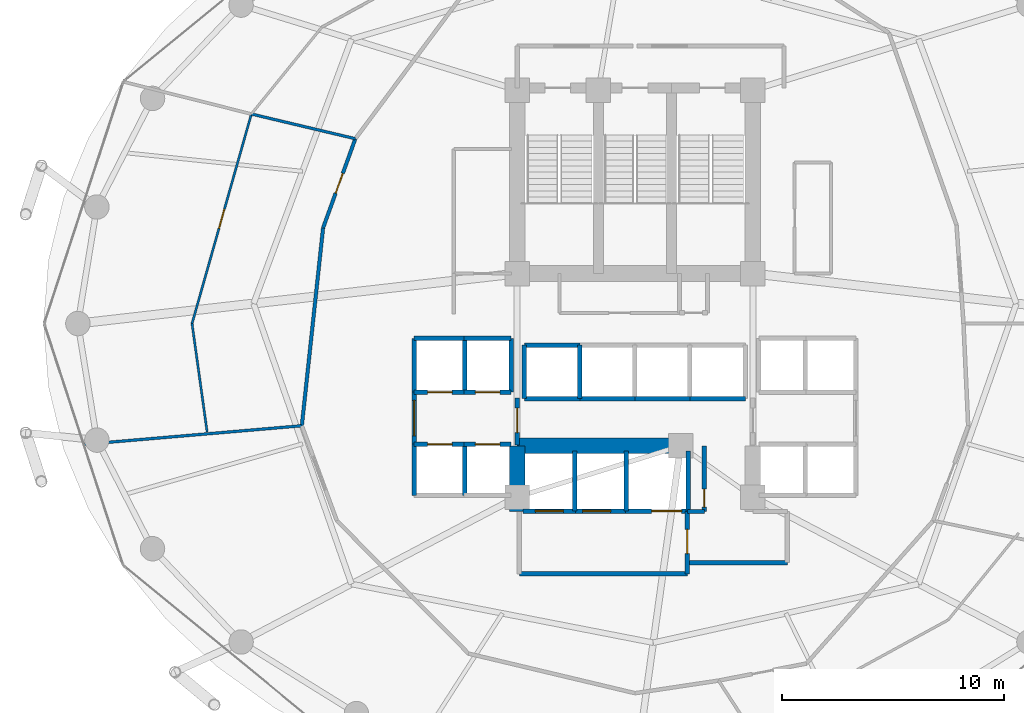
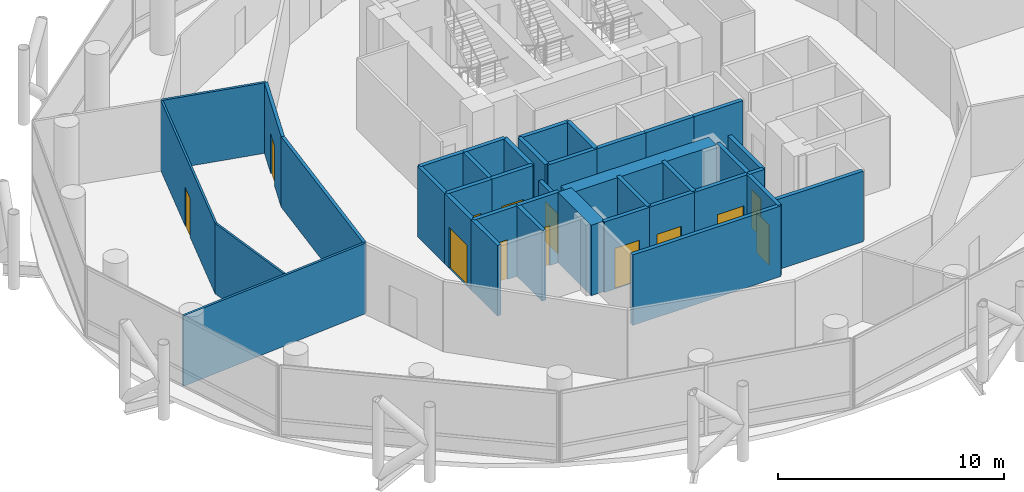
# One storey, part 21 of 24: 39 walls, 13 doors, 13 openings.
"""IFC4 building model written with IfcOpenShell, lengths in metres."""

from ifc_helpers import new_model, si_unit, direction, frame, frame_2d, origin, place, context, subcontext, project, spatial, rectangle, extrude, material, layer, layer_set, type_object, element, fill, save


model = new_model("IFC4")

# Units and contexts
model_context = context("Model", 3, precision=1e-05, world=origin(), true_north=direction((0.0, 1.0)))
body_context = subcontext(model_context, "Body", "Model", "MODEL_VIEW")
ifc_project = project(units=[si_unit("LENGTHUNIT", "METRE"), si_unit("AREAUNIT", "SQUARE_METRE"), si_unit("VOLUMEUNIT", "CUBIC_METRE"), si_unit("PLANEANGLEUNIT", "RADIAN"), si_unit("MASSUNIT", "GRAM", prefix="KILO")], contexts=[model_context])

# Site, building, storey
site_placement = place(None, origin())
site = spatial("IfcSite", under=ifc_project, at=site_placement, CompositionType="ELEMENT")
building_placement = place(site_placement, origin())
building = spatial("IfcBuilding", under=site, at=building_placement, Name="Nuhasar Tower", CompositionType="ELEMENT")
storey_placement = place(building_placement, frame((0.0, 0.0, 81.75)))
storey = spatial("IfcBuildingStorey", under=building, at=storey_placement, Name="L19", CompositionType="ELEMENT", Elevation=81.75)

# Walls
ifc_material_1 = material(Name="Concrete C65/80", Category="concrete")
ifc_layer_1 = layer(ifc_material_1, 0.699951171875)
ifc_layer_set_1 = layer_set([ifc_layer_1], Name="Concrete C65/80")
wall_type_1 = type_object("IfcWallType", Name="WL-CORE-700", PredefinedType="SHEAR", material=ifc_layer_set_1)
wall_1_placement = place(storey_placement, frame((33.699951171875, 18.35009765625, 0.0), z_axis=(0.0, 0.0, 1.0), x_axis=(0.0, 1.0, 0.0)))
element("IfcWall", 1, at=wall_1_placement, inside=storey, type_object=wall_type_1, Name="L19 Core Shear Wall CW-SW CW-700", PredefinedType="SHEAR", context=body_context, shape_type="SweptSolid", body=[
    extrude(rectangle(XDim=2.949951171875, YDim=0.699951171875, at=frame_2d((1.47509765625, 0.0))), origin(), (0.0, 0.0, 1.0), 3.800048828125),
])
wall_2_placement = place(storey_placement, frame((33.699951171875, 21.300048828125, 0.0), z_axis=(0.0, 0.0, 1.0), x_axis=(1.0, 0.0, 0.0)))
element("IfcWall", 2, at=wall_2_placement, inside=storey, type_object=wall_type_1, Name="L19 Core Shear Wall CW-S1 CW-700", PredefinedType="SHEAR", context=body_context, shape_type="SweptSolid", body=[
    extrude(rectangle(XDim=7.550048828125, YDim=0.699951171875, at=frame_2d((3.77490234375, 0.0))), origin(), (0.0, 0.0, 1.0), 3.800048828125),
])

# Wall, opening, door
ifc_material_2 = material(Name="Gypsum Board", Category="gypsum")
ifc_layer_2 = layer(ifc_material_2, 0.159912109375)
ifc_layer_set_2 = layer_set([ifc_layer_2], Name="Gypsum Board")
wall_type_2 = type_object("IfcWallType", Name="WL-CORR-160", PredefinedType="PARTITIONING", material=ifc_layer_set_2)
wall_3_placement = place(storey_placement, frame((24.97509765625, 31.10205078125, 0.0), z_axis=(0.0, 0.0, 1.0), x_axis=(0.340183500837, 0.940359072779, 0.0)))
wall_3 = element("IfcWall", 3, at=wall_3_placement, inside=storey, type_object=wall_type_2, Name="L19 Interior Partition CORR-20", PredefinedType="PARTITIONING", context=body_context, shape_type="SweptSolid", body=[
    extrude(rectangle(XDim=4.26220703125, YDim=0.159912109375, at=frame_2d((2.131103515625, 0.0))), origin(), (0.0, 0.0, 1.0), 3.800048828125),
])
opening_1_placement = place(wall_3_placement, frame((1.656005859375, 0.0, 0.0)))
opening_1 = element("IfcOpeningElement", 4, at=opening_1_placement, cuts=wall_3, Name="Opening DO-01", PredefinedType="OPENING", context=body_context, shape_type="SweptSolid", body=[
    extrude(rectangle(XDim=0.949951171875, YDim=2.14990234375, at=frame_2d((0.47509765625, 1.074951171875))), frame((0.0, 0.08984375, 0.0), z_axis=(0.0, -1.0, 0.0), x_axis=(1.0, 0.0, 0.0)), (0.0, 0.0, 1.0), 0.179931640625),
])
ifc_material_3 = material(Name="Timber Oak", Category="wood")
door_type_1 = type_object("IfcDoorType", Name="DR-OFFICE-FD30-950", OperationType="NOTDEFINED", PredefinedType="DOOR", material=ifc_material_3)
door_1_placement = place(opening_1_placement, origin())
door_1 = element("IfcDoor", 5, at=door_1_placement, inside=storey, type_object=door_type_1, Name="L19 Protocol Banquet Dining Room Entry Door", OperationType="SINGLE_SWING_LEFT", OverallHeight=2.14990234375, OverallWidth=0.949951171875, PredefinedType="DOOR", context=body_context, shape_type="SweptSolid", body=[
    extrude(rectangle(XDim=0.949951171875, YDim=2.14990234375, at=frame_2d((0.47509765625, 1.074951171875))), frame((0.0, 0.02490234375, 0.0), z_axis=(0.0, -1.0, 0.0), x_axis=(1.0, 0.0, 0.0)), (0.0, 0.0, 1.0), 0.050048828125),
])
fill(opening_1, door_1)

# Wall
wall_4_placement = place(storey_placement, frame((24.97509765625, 31.10205078125, 0.0), z_axis=(0.0, 0.0, 1.0), x_axis=(-0.106843321034, -0.99427586954, 0.0)))
element("IfcWall", 6, at=wall_4_placement, inside=storey, type_object=wall_type_2, Name="L19 Interior Partition CORR-22", PredefinedType="PARTITIONING", context=body_context, shape_type="SweptSolid", body=[
    extrude(rectangle(XDim=8.9482421875, YDim=0.159912109375, at=frame_2d((4.47412109375, 0.0))), origin(), (0.0, 0.0, 1.0), 3.800048828125),
])

# Wall, opening, door
ifc_material_4 = material(Name="Concrete C45/55", Category="concrete")
ifc_layer_3 = layer(ifc_material_4, 0.199951171875)
ifc_layer_set_3 = layer_set([ifc_layer_3], Name="Concrete C45/55")
wall_type_3 = type_object("IfcWallType", Name="WL-LOBBY-200", PredefinedType="SOLIDWALL", material=ifc_layer_set_3)
wall_5_placement = place(storey_placement, frame((29.070068359375, 21.3798828125, 0.0), z_axis=(0.0, 0.0, 1.0), x_axis=(0.0, 1.0, 0.0)))
wall_5 = element("IfcWall", 7, at=wall_5_placement, inside=storey, type_object=wall_type_3, Name="L19 Interior Partition LLBL-W", PredefinedType="SOLIDWALL", context=body_context, shape_type="SweptSolid", body=[
    extrude(rectangle(XDim=2.340087890625, YDim=0.199951171875, at=frame_2d((1.169921875, 0.0))), origin(), (0.0, 0.0, 1.0), 3.800048828125),
])
opening_2_placement = place(wall_5_placement, frame((0.3701171875, 0.0, 0.0)))
opening_2 = element("IfcOpeningElement", 8, at=opening_2_placement, cuts=wall_5, Name="Opening DC-01", PredefinedType="OPENING", context=body_context, shape_type="SweptSolid", body=[
    extrude(rectangle(XDim=1.60009765625, YDim=2.199951171875, at=frame_2d((0.800048828125, 1.10009765625))), frame((0.0, 0.10986328125, 0.0), z_axis=(0.0, -1.0, 0.0), x_axis=(1.0, 0.0, 0.0)), (0.0, 0.0, 1.0), 0.219970703125),
])
ifc_material_5 = material(Name="Steel S355", Category="steel")
door_type_2 = type_object("IfcDoorType", Name="DR-CORR-FD60-1600", OperationType="DOUBLE_DOOR_SINGLE_SWING", PredefinedType="DOOR", material=ifc_material_5)
door_2_placement = place(opening_2_placement, origin())
door_2 = element("IfcDoor", 9, at=door_2_placement, inside=storey, type_object=door_type_2, Name="L19 Low-Rise Lift Lobby West Entry", OperationType="DOUBLE_DOOR_SINGLE_SWING", OverallHeight=2.199951171875, OverallWidth=1.60009765625, PredefinedType="DOOR", context=body_context, shape_type="SweptSolid", body=[
    extrude(rectangle(XDim=1.60009765625, YDim=2.199951171875, at=frame_2d((0.800048828125, 1.10009765625))), frame((0.0, 0.02490234375, 0.0), z_axis=(0.0, -1.0, 0.0), x_axis=(1.0, 0.0, 0.0)), (0.0, 0.0, 1.0), 0.050048828125),
])
fill(opening_2, door_2)

wall_6_placement = place(storey_placement, frame((33.699951171875, 21.35009765625, 0.0), z_axis=(0.0, 0.0, 1.0), x_axis=(0.0, 1.0, 0.0)))
wall_6 = element("IfcWall", 10, at=wall_6_placement, inside=storey, type_object=wall_type_3, Name="L19 Interior Partition LLBH-W", PredefinedType="SOLIDWALL", context=body_context, shape_type="SweptSolid", body=[
    extrude(rectangle(XDim=2.099853515625, YDim=0.199951171875, at=frame_2d((1.0498046875, 0.0))), origin(), (0.0, 0.0, 1.0), 3.02001953125),
])
opening_3_placement = place(wall_6_placement, frame((0.550048828125, 0.0, 0.0)))
opening_3 = element("IfcOpeningElement", 11, at=opening_3_placement, cuts=wall_6, Name="Opening DS-02", PredefinedType="OPENING", context=body_context, shape_type="SweptSolid", body=[
    extrude(rectangle(XDim=1.10009765625, YDim=2.14990234375, at=frame_2d((0.550048828125, 1.074951171875))), frame((0.0, 0.10986328125, 0.0), z_axis=(0.0, -1.0, 0.0), x_axis=(1.0, 0.0, 0.0)), (0.0, 0.0, 1.0), 0.219970703125),
])
door_type_3 = type_object("IfcDoorType", Name="DR-FFL-FD120-1100", OperationType="NOTDEFINED", PredefinedType="DOOR", material=ifc_material_5)
door_3_placement = place(opening_3_placement, origin())
door_3 = element("IfcDoor", 12, at=door_3_placement, inside=storey, type_object=door_type_3, Name="L19 High-Rise Lobby West Door", OperationType="SINGLE_SWING_RIGHT", OverallHeight=2.14990234375, OverallWidth=1.10009765625, PredefinedType="DOOR", context=body_context, shape_type="SweptSolid", body=[
    extrude(rectangle(XDim=1.10009765625, YDim=2.14990234375, at=frame_2d((0.550048828125, 1.074951171875))), frame((0.0, 0.02490234375, 0.0), z_axis=(0.0, -1.0, 0.0), x_axis=(1.0, 0.0, 0.0)), (0.0, 0.0, 1.0), 0.050048828125),
])
fill(opening_3, door_3)

# Wall
wall_7_placement = place(storey_placement, frame((33.800048828125, 15.550048828125, 0.0), z_axis=(0.0, 0.0, 1.0), x_axis=(1.0, 0.0, 0.0)))
element("IfcWall", 13, at=wall_7_placement, inside=storey, type_object=wall_type_3, Name="L19 Interior Partition FFL-S", PredefinedType="SOLIDWALL", context=body_context, shape_type="SweptSolid", body=[
    extrude(rectangle(XDim=7.550048828125, YDim=0.199951171875, at=frame_2d((3.77490234375, 0.0))), origin(), (0.0, 0.0, 1.0), 3.800048828125),
])

# Wall, opening, door
wall_8_placement = place(storey_placement, frame((41.35009765625, 15.550048828125, 0.0), z_axis=(0.0, 0.0, 1.0), x_axis=(0.0, 1.0, 0.0)))
wall_8 = element("IfcWall", 14, at=wall_8_placement, inside=storey, type_object=wall_type_3, Name="L19 Interior Partition FFL-E", PredefinedType="SOLIDWALL", context=body_context, shape_type="SweptSolid", body=[
    extrude(rectangle(XDim=2.800048828125, YDim=0.199951171875, at=frame_2d((1.39990234375, 0.0))), origin(), (0.0, 0.0, 1.0), 3.800048828125),
])
opening_4_placement = place(wall_8_placement, frame((0.89990234375, 0.0, 0.0)))
opening_4 = element("IfcOpeningElement", 15, at=opening_4_placement, cuts=wall_8, Name="Opening DS-02", PredefinedType="OPENING", context=body_context, shape_type="SweptSolid", body=[
    extrude(rectangle(XDim=1.10009765625, YDim=2.14990234375, at=frame_2d((0.550048828125, 1.074951171875))), frame((0.0, 0.10986328125, 0.0), z_axis=(0.0, -1.0, 0.0), x_axis=(1.0, 0.0, 0.0)), (0.0, 0.0, 1.0), 0.219970703125),
])
door_4_placement = place(opening_4_placement, origin())
door_4 = element("IfcDoor", 16, at=door_4_placement, inside=storey, type_object=door_type_3, Name="L19 Firefighting Lobby Door", OperationType="SINGLE_SWING_RIGHT", OverallHeight=2.14990234375, OverallWidth=1.10009765625, PredefinedType="DOOR", context=body_context, shape_type="SweptSolid", body=[
    extrude(rectangle(XDim=1.10009765625, YDim=2.14990234375, at=frame_2d((0.550048828125, 1.074951171875))), frame((0.0, 0.02490234375, 0.0), z_axis=(0.0, -1.0, 0.0), x_axis=(1.0, 0.0, 0.0)), (0.0, 0.0, 1.0), 0.050048828125),
])
fill(opening_4, door_4)

# Wall
wall_9_placement = place(storey_placement, frame((41.35009765625, 16.050048828125, 0.0), z_axis=(0.0, 0.0, 1.0), x_axis=(1.0, 0.0, 0.0)))
element("IfcWall", 17, at=wall_9_placement, inside=storey, type_object=wall_type_3, Name="L19 Interior Partition SVLV-S", PredefinedType="SOLIDWALL", context=body_context, shape_type="SweptSolid", body=[
    extrude(rectangle(XDim=4.5, YDim=0.199951171875, at=frame_2d((2.25, 0.0))), origin(), (0.0, 0.0, 1.0), 3.800048828125),
])

# Wall, opening, door
ifc_material_6 = material(Name="Aluminium 6063-T6", Category="aluminium")
ifc_layer_4 = layer(ifc_material_6, 0.10009765625)
ifc_layer_set_4 = layer_set([ifc_layer_4], Name="Aluminium 6063-T6")
wall_type_4 = type_object("IfcWallType", Name="WL-MOVABLE-100", PredefinedType="MOVABLE", material=ifc_layer_set_4)
wall_10_placement = place(storey_placement, frame((19.08203125, 26.800048828125, 0.0), z_axis=(0.0, 0.0, 1.0), x_axis=(0.272547183725, 0.962142418067, 0.0)))
wall_10 = element("IfcWall", 18, at=wall_10_placement, inside=storey, type_object=wall_type_4, Name="L19 Interior Partition OMID-03-20", PredefinedType="MOVABLE", context=body_context, shape_type="SweptSolid", body=[
    extrude(rectangle(XDim=9.79248046875, YDim=0.10009765625, at=frame_2d((4.896240234375, 0.0))), origin(), (0.0, 0.0, 1.0), 3.800048828125),
])
opening_5_placement = place(wall_10_placement, frame((4.446044921875, 0.0, 0.0)))
opening_5 = element("IfcOpeningElement", 19, at=opening_5_placement, cuts=wall_10, Name="Opening DR-01", PredefinedType="OPENING", context=body_context, shape_type="SweptSolid", body=[
    extrude(rectangle(XDim=0.89990234375, YDim=2.10009765625, at=frame_2d((0.449951171875, 1.050048828125))), frame((0.0, 0.06005859375, 0.0), z_axis=(0.0, -1.0, 0.0), x_axis=(1.0, 0.0, 0.0)), (0.0, 0.0, 1.0), 0.1201171875),
])
door_type_4 = type_object("IfcDoorType", Name="DR-ROOM-900", OperationType="NOTDEFINED", PredefinedType="DOOR", material=ifc_material_3)
door_5_placement = place(opening_5_placement, origin())
door_5 = element("IfcDoor", 20, at=door_5_placement, inside=storey, type_object=door_type_4, Name="L19 Protocol Banquet Dining Room Inner Door", OperationType="SINGLE_SWING_RIGHT", OverallHeight=2.10009765625, OverallWidth=0.89990234375, PredefinedType="DOOR", context=body_context, shape_type="SweptSolid", body=[
    extrude(rectangle(XDim=0.89990234375, YDim=2.10009765625, at=frame_2d((0.449951171875, 1.050048828125))), frame((0.0, 0.02490234375, 0.0), z_axis=(0.0, -1.0, 0.0), x_axis=(1.0, 0.0, 0.0)), (0.0, 0.0, 1.0), 0.050048828125),
])
fill(opening_5, door_5)

# Walls
wall_11_placement = place(storey_placement, frame((19.08203125, 26.800048828125, 0.0), z_axis=(0.0, 0.0, 1.0), x_axis=(0.137887249671, -0.990447932189, 0.0)))
element("IfcWall", 21, at=wall_11_placement, inside=storey, type_object=wall_type_4, Name="L19 Interior Partition OMID-03-24", PredefinedType="MOVABLE", context=body_context, shape_type="SweptSolid", body=[
    extrude(rectangle(XDim=4.924072265625, YDim=0.10009765625, at=frame_2d((2.4619140625, 0.0))), origin(), (0.0, 0.0, 1.0), 3.800048828125),
])
ifc_layer_5 = layer(ifc_material_2, 0.125)
ifc_layer_set_5 = layer_set([ifc_layer_5], Name="Gypsum Board")
wall_type_5 = type_object("IfcWallType", Name="WL-PART-125", PredefinedType="PARTITIONING", material=ifc_layer_set_5)
wall_12_placement = place(storey_placement, frame((26.425048828125, 35.110107421875, 0.0), z_axis=(0.0, 0.0, 1.0), x_axis=(-0.972855808005, 0.23141213631, 0.0)))
element("IfcWall", 22, at=wall_12_placement, inside=storey, type_object=wall_type_5, Name="L19 Interior Partition ORAD-20-S1", PredefinedType="PARTITIONING", context=body_context, shape_type="SweptSolid", body=[
    extrude(rectangle(XDim=4.804443359375, YDim=0.125, at=frame_2d((2.40234375, 0.0))), origin(), (0.0, 0.0, 1.0), 3.800048828125),
])
wall_13_placement = place(storey_placement, frame((24.01904296875, 22.205078125, 0.0), z_axis=(0.0, 0.0, 1.0), x_axis=(-0.996355302193, -0.085300127731, 0.0)))
element("IfcWall", 23, at=wall_13_placement, inside=storey, type_object=wall_type_5, Name="L19 Interior Partition ORAD-26", PredefinedType="PARTITIONING", context=body_context, shape_type="SweptSolid", body=[
    extrude(rectangle(XDim=9.802734375, YDim=0.125, at=frame_2d((4.9013671875, 0.0))), origin(), (0.0, 0.0, 1.0), 3.800048828125),
])

# Wall, opening, door
ifc_layer_6 = layer(ifc_material_4, 0.199951171875)
ifc_layer_set_6 = layer_set([ifc_layer_6], Name="Concrete C45/55")
wall_type_6 = type_object("IfcWallType", Name="WL-SHAFT-200", PredefinedType="SOLIDWALL", material=ifc_layer_set_6)
wall_14_placement = place(storey_placement, frame((29.070068359375, 23.719970703125, 0.0), z_axis=(0.0, 0.0, 1.0), x_axis=(1.0, 0.0, 0.0)))
wall_14 = element("IfcWall", 24, at=wall_14_placement, inside=storey, type_object=wall_type_6, Name="L19 Interior Partition SHF-PL-L01-S", PredefinedType="SOLIDWALL", context=body_context, shape_type="SweptSolid", body=[
    extrude(rectangle(XDim=2.309814453125, YDim=0.199951171875, at=frame_2d((1.15478515625, 0.0))), origin(), (0.0, 0.0, 1.0), 3.800048828125),
])
opening_6_placement = place(wall_14_placement, frame((0.60498046875, 0.0, 0.0)))
opening_6 = element("IfcOpeningElement", 25, at=opening_6_placement, cuts=wall_14, Name="Opening LD-L01", PredefinedType="OPENING", context=body_context, shape_type="SweptSolid", body=[
    extrude(rectangle(XDim=1.10009765625, YDim=2.14990234375, at=frame_2d((0.550048828125, 1.074951171875))), frame((0.0, 0.10986328125, 0.0), z_axis=(0.0, -1.0, 0.0), x_axis=(1.0, 0.0, 0.0)), (0.0, 0.0, 1.0), 0.219970703125),
])
ifc_material_7 = material(Name="Stainless Steel 316L", Category="steel")
door_type_5 = type_object("IfcDoorType", Name="LD-PAX-1100", OperationType="DOUBLE_DOOR_SLIDING", PredefinedType="DOOR", material=ifc_material_7)
door_6_placement = place(opening_6_placement, origin())
door_6 = element("IfcDoor", 26, at=door_6_placement, inside=storey, type_object=door_type_5, Name="L19 Lift Landing Door PL-L01", OperationType="DOUBLE_DOOR_SLIDING", OverallHeight=2.14990234375, OverallWidth=1.10009765625, PredefinedType="DOOR", context=body_context, shape_type="SweptSolid", body=[
    extrude(rectangle(XDim=1.10009765625, YDim=2.14990234375, at=frame_2d((0.550048828125, 1.074951171875))), frame((0.0, 0.02490234375, 0.0), z_axis=(0.0, -1.0, 0.0), x_axis=(1.0, 0.0, 0.0)), (0.0, 0.0, 1.0), 0.050048828125),
])
fill(opening_6, door_6)

# Walls
wall_15_placement = place(storey_placement, frame((29.070068359375, 26.1298828125, 0.0), z_axis=(0.0, 0.0, 1.0), x_axis=(1.0, 0.0, 0.0)))
element("IfcWall", 27, at=wall_15_placement, inside=storey, type_object=wall_type_6, Name="L19 Interior Partition SHF-PL-L01-N", PredefinedType="SOLIDWALL", context=body_context, shape_type="SweptSolid", body=[
    extrude(rectangle(XDim=2.309814453125, YDim=0.199951171875, at=frame_2d((1.15478515625, 0.0))), origin(), (0.0, 0.0, 1.0), 3.800048828125),
])
for number, where, z_axis, x_axis, name in (
    (28, (29.070068359375, 23.719970703125, 0.0), (0.0, 0.0, 1.0), (0.0, 1.0, 0.0), "L19 Interior Partition SHF-PL-L01-W"),
    (29, (31.35009765625, 23.719970703125, 0.0), (0.0, 0.0, 1.0), (0.0, 1.0, 0.0), "L19 Interior Partition SHF-PL-L01-E"),
):
    element("IfcWall", number, at=place(storey_placement, frame(where, z_axis=z_axis, x_axis=x_axis)), inside=storey, type_object=wall_type_6, Name=name, PredefinedType="SOLIDWALL", context=body_context, shape_type="SweptSolid", body=[
        extrude(rectangle(XDim=2.409912109375, YDim=0.199951171875, at=frame_2d((1.205078125, 0.0))), origin(), (0.0, 0.0, 1.0), 3.800048828125),
    ])

# Wall, opening, door
wall_16_placement = place(storey_placement, frame((31.320068359375, 23.719970703125, 0.0), z_axis=(0.0, 0.0, 1.0), x_axis=(1.0, 0.0, 0.0)))
wall_16 = element("IfcWall", 30, at=wall_16_placement, inside=storey, type_object=wall_type_6, Name="L19 Interior Partition SHF-PL-L02-S", PredefinedType="SOLIDWALL", context=body_context, shape_type="SweptSolid", body=[
    extrude(rectangle(XDim=2.10986328125, YDim=0.199951171875, at=frame_2d((1.054931640625, 0.0))), origin(), (0.0, 0.0, 1.0), 3.800048828125),
])
opening_7_placement = place(wall_16_placement, frame((0.5048828125, 0.0, 0.0)))
opening_7 = element("IfcOpeningElement", 31, at=opening_7_placement, cuts=wall_16, Name="Opening LD-L02", PredefinedType="OPENING", context=body_context, shape_type="SweptSolid", body=[
    extrude(rectangle(XDim=1.10009765625, YDim=2.14990234375, at=frame_2d((0.550048828125, 1.074951171875))), frame((0.0, 0.10986328125, 0.0), z_axis=(0.0, -1.0, 0.0), x_axis=(1.0, 0.0, 0.0)), (0.0, 0.0, 1.0), 0.219970703125),
])
door_7_placement = place(opening_7_placement, origin())
door_7 = element("IfcDoor", 32, at=door_7_placement, inside=storey, type_object=door_type_5, Name="L19 Lift Landing Door PL-L02", OperationType="DOUBLE_DOOR_SLIDING", OverallHeight=2.14990234375, OverallWidth=1.10009765625, PredefinedType="DOOR", context=body_context, shape_type="SweptSolid", body=[
    extrude(rectangle(XDim=1.10009765625, YDim=2.14990234375, at=frame_2d((0.550048828125, 1.074951171875))), frame((0.0, 0.02490234375, 0.0), z_axis=(0.0, -1.0, 0.0), x_axis=(1.0, 0.0, 0.0)), (0.0, 0.0, 1.0), 0.050048828125),
])
fill(opening_7, door_7)

# Walls
wall_17_placement = place(storey_placement, frame((31.320068359375, 26.1298828125, 0.0), z_axis=(0.0, 0.0, 1.0), x_axis=(1.0, 0.0, 0.0)))
element("IfcWall", 33, at=wall_17_placement, inside=storey, type_object=wall_type_6, Name="L19 Interior Partition SHF-PL-L02-N", PredefinedType="SOLIDWALL", context=body_context, shape_type="SweptSolid", body=[
    extrude(rectangle(XDim=2.10986328125, YDim=0.199951171875, at=frame_2d((1.054931640625, 0.0))), origin(), (0.0, 0.0, 1.0), 3.800048828125),
])
wall_18_placement = place(storey_placement, frame((33.429931640625, 23.719970703125, 0.0), z_axis=(0.0, 0.0, 1.0), x_axis=(0.0, 1.0, 0.0)))
element("IfcWall", 34, at=wall_18_placement, inside=storey, type_object=wall_type_6, Name="L19 Interior Partition SHF-PL-L02-E", PredefinedType="SOLIDWALL", context=body_context, shape_type="SweptSolid", body=[
    extrude(rectangle(XDim=2.409912109375, YDim=0.199951171875, at=frame_2d((1.205078125, 0.0))), origin(), (0.0, 0.0, 1.0), 3.800048828125),
])

# Wall, opening, door
wall_19_placement = place(storey_placement, frame((29.070068359375, 21.3798828125, 0.0), z_axis=(0.0, 0.0, 1.0), x_axis=(1.0, 0.0, 0.0)))
wall_19 = element("IfcWall", 35, at=wall_19_placement, inside=storey, type_object=wall_type_6, Name="L19 Interior Partition SHF-PL-L03-N", PredefinedType="SOLIDWALL", context=body_context, shape_type="SweptSolid", body=[
    extrude(rectangle(XDim=2.309814453125, YDim=0.199951171875, at=frame_2d((1.15478515625, 0.0))), origin(), (0.0, 0.0, 1.0), 3.800048828125),
])
opening_8_placement = place(wall_19_placement, frame((0.60498046875, 0.0, 0.0)))
opening_8 = element("IfcOpeningElement", 36, at=opening_8_placement, cuts=wall_19, Name="Opening LD-L03", PredefinedType="OPENING", context=body_context, shape_type="SweptSolid", body=[
    extrude(rectangle(XDim=1.10009765625, YDim=2.14990234375, at=frame_2d((0.550048828125, 1.074951171875))), frame((0.0, 0.10986328125, 0.0), z_axis=(0.0, -1.0, 0.0), x_axis=(1.0, 0.0, 0.0)), (0.0, 0.0, 1.0), 0.219970703125),
])
door_8_placement = place(opening_8_placement, origin())
door_8 = element("IfcDoor", 37, at=door_8_placement, inside=storey, type_object=door_type_5, Name="L19 Lift Landing Door PL-L03", OperationType="DOUBLE_DOOR_SLIDING", OverallHeight=2.14990234375, OverallWidth=1.10009765625, PredefinedType="DOOR", context=body_context, shape_type="SweptSolid", body=[
    extrude(rectangle(XDim=1.10009765625, YDim=2.14990234375, at=frame_2d((0.550048828125, 1.074951171875))), frame((0.0, 0.02490234375, 0.0), z_axis=(0.0, -1.0, 0.0), x_axis=(1.0, 0.0, 0.0)), (0.0, 0.0, 1.0), 0.050048828125),
])
fill(opening_8, door_8)

# Walls
for number, where, z_axis, x_axis, name in (
    (38, (29.070068359375, 19.070068359375, 0.0), (0.0, 0.0, 1.0), (0.0, 1.0, 0.0), "L19 Interior Partition SHF-PL-L03-W"),
    (39, (31.35009765625, 19.070068359375, 0.0), (0.0, 0.0, 1.0), (0.0, 1.0, 0.0), "L19 Interior Partition SHF-PL-L03-E"),
):
    element("IfcWall", number, at=place(storey_placement, frame(where, z_axis=z_axis, x_axis=x_axis)), inside=storey, type_object=wall_type_6, Name=name, PredefinedType="SOLIDWALL", context=body_context, shape_type="SweptSolid", body=[
        extrude(rectangle(XDim=2.309814453125, YDim=0.199951171875, at=frame_2d((1.15478515625, 0.0))), origin(), (0.0, 0.0, 1.0), 3.800048828125),
    ])

# Wall, opening, door
wall_20_placement = place(storey_placement, frame((31.320068359375, 21.3798828125, 0.0), z_axis=(0.0, 0.0, 1.0), x_axis=(1.0, 0.0, 0.0)))
wall_20 = element("IfcWall", 40, at=wall_20_placement, inside=storey, type_object=wall_type_6, Name="L19 Interior Partition SHF-PL-L04-N", PredefinedType="SOLIDWALL", context=body_context, shape_type="SweptSolid", body=[
    extrude(rectangle(XDim=2.10986328125, YDim=0.199951171875, at=frame_2d((1.054931640625, 0.0))), origin(), (0.0, 0.0, 1.0), 3.800048828125),
])
opening_9_placement = place(wall_20_placement, frame((0.5048828125, 0.0, 0.0)))
opening_9 = element("IfcOpeningElement", 41, at=opening_9_placement, cuts=wall_20, Name="Opening LD-L04", PredefinedType="OPENING", context=body_context, shape_type="SweptSolid", body=[
    extrude(rectangle(XDim=1.10009765625, YDim=2.14990234375, at=frame_2d((0.550048828125, 1.074951171875))), frame((0.0, 0.10986328125, 0.0), z_axis=(0.0, -1.0, 0.0), x_axis=(1.0, 0.0, 0.0)), (0.0, 0.0, 1.0), 0.219970703125),
])
door_9_placement = place(opening_9_placement, origin())
door_9 = element("IfcDoor", 42, at=door_9_placement, inside=storey, type_object=door_type_5, Name="L19 Lift Landing Door PL-L04", OperationType="DOUBLE_DOOR_SLIDING", OverallHeight=2.14990234375, OverallWidth=1.10009765625, PredefinedType="DOOR", context=body_context, shape_type="SweptSolid", body=[
    extrude(rectangle(XDim=1.10009765625, YDim=2.14990234375, at=frame_2d((0.550048828125, 1.074951171875))), frame((0.0, 0.02490234375, 0.0), z_axis=(0.0, -1.0, 0.0), x_axis=(1.0, 0.0, 0.0)), (0.0, 0.0, 1.0), 0.050048828125),
])
fill(opening_9, door_9)

# Walls
for number, where, z_axis, x_axis, name in (
    (43, (34.02001953125, 23.419921875, 0.0), (0.0, 0.0, 1.0), (1.0, 0.0, 0.0), "L19 Interior Partition SHF-PL-H01-S"),
    (44, (34.02001953125, 25.830078125, 0.0), (0.0, 0.0, 1.0), (1.0, 0.0, 0.0), "L19 Interior Partition SHF-PL-H01-N"),
):
    element("IfcWall", number, at=place(storey_placement, frame(where, z_axis=z_axis, x_axis=x_axis)), inside=storey, type_object=wall_type_6, Name=name, PredefinedType="SOLIDWALL", context=body_context, shape_type="SweptSolid", body=[
        extrude(rectangle(XDim=2.5, YDim=0.199951171875, at=frame_2d((1.25, 0.0))), origin(), (0.0, 0.0, 1.0), 3.800048828125),
    ])
for number, where, z_axis, x_axis, name in (
    (45, (34.02001953125, 23.419921875, 0.0), (0.0, 0.0, 1.0), (0.0, 1.0, 0.0), "L19 Interior Partition SHF-PL-H01-W"),
    (46, (36.510009765625, 23.419921875, 0.0), (0.0, 0.0, 1.0), (0.0, 1.0, 0.0), "L19 Interior Partition SHF-PL-H01-E"),
):
    element("IfcWall", number, at=place(storey_placement, frame(where, z_axis=z_axis, x_axis=x_axis)), inside=storey, type_object=wall_type_6, Name=name, PredefinedType="SOLIDWALL", context=body_context, shape_type="SweptSolid", body=[
        extrude(rectangle(XDim=2.41015625, YDim=0.199951171875, at=frame_2d((1.205078125, 0.0))), origin(), (0.0, 0.0, 1.0), 3.800048828125),
    ])
for number, where, z_axis, x_axis, name in (
    (47, (36.5, 23.419921875, 0.0), (0.0, 0.0, 1.0), (1.0, 0.0, 0.0), "L19 Interior Partition SHF-PL-H02-S"),
    (48, (38.97998046875, 23.419921875, 0.0), (0.0, 0.0, 1.0), (1.0, 0.0, 0.0), "L19 Interior Partition SHF-PL-H03-S"),
    (49, (41.4599609375, 23.419921875, 0.0), (0.0, 0.0, 1.0), (1.0, 0.0, 0.0), "L19 Interior Partition SHF-PL-H04-S"),
):
    element("IfcWall", number, at=place(storey_placement, frame(where, z_axis=z_axis, x_axis=x_axis)), inside=storey, type_object=wall_type_6, Name=name, PredefinedType="SOLIDWALL", context=body_context, shape_type="SweptSolid", body=[
        extrude(rectangle(XDim=2.5, YDim=0.199951171875, at=frame_2d((1.25, 0.0))), origin(), (0.0, 0.0, 1.0), 3.800048828125),
    ])

# Wall, opening, door
wall_21_placement = place(storey_placement, frame((33.969970703125, 18.3701171875, 0.0), z_axis=(0.0, 0.0, 1.0), x_axis=(1.0, 0.0, 0.0)))
wall_21 = element("IfcWall", 50, at=wall_21_placement, inside=storey, type_object=wall_type_6, Name="L19 Interior Partition SHF-FFL-01-S", PredefinedType="SOLIDWALL", context=body_context, shape_type="SweptSolid", body=[
    extrude(rectangle(XDim=2.360107421875, YDim=0.199951171875, at=frame_2d((1.18017578125, 0.0))), origin(), (0.0, 0.0, 1.0), 3.800048828125),
])
opening_10_placement = place(wall_21_placement, frame((0.554931640625, 0.0, 0.0)))
opening_10 = element("IfcOpeningElement", 51, at=opening_10_placement, cuts=wall_21, Name="Opening LD-F01", PredefinedType="OPENING", context=body_context, shape_type="SweptSolid", body=[
    extrude(rectangle(XDim=1.25, YDim=2.199951171875, at=frame_2d((0.625, 1.10009765625))), frame((0.0, 0.10986328125, 0.0), z_axis=(0.0, -1.0, 0.0), x_axis=(1.0, 0.0, 0.0)), (0.0, 0.0, 1.0), 0.219970703125),
])
door_type_6 = type_object("IfcDoorType", Name="LD-FFL-1250", OperationType="DOUBLE_DOOR_SLIDING", PredefinedType="DOOR", material=ifc_material_7)
door_10_placement = place(opening_10_placement, origin())
door_10 = element("IfcDoor", 52, at=door_10_placement, inside=storey, type_object=door_type_6, Name="L19 Lift Landing Door FFL-01", OperationType="DOUBLE_DOOR_SLIDING", OverallHeight=2.199951171875, OverallWidth=1.25, PredefinedType="DOOR", context=body_context, shape_type="SweptSolid", body=[
    extrude(rectangle(XDim=1.25, YDim=2.199951171875, at=frame_2d((0.625, 1.10009765625))), frame((0.0, 0.02490234375, 0.0), z_axis=(0.0, -1.0, 0.0), x_axis=(1.0, 0.0, 0.0)), (0.0, 0.0, 1.0), 0.050048828125),
])
fill(opening_10, door_10)

# Wall
wall_22_placement = place(storey_placement, frame((36.300048828125, 18.3701171875, 0.0), z_axis=(0.0, 0.0, 1.0), x_axis=(0.0, 1.0, 0.0)))
element("IfcWall", 53, at=wall_22_placement, inside=storey, type_object=wall_type_6, Name="L19 Interior Partition SHF-FFL-01-E", PredefinedType="SOLIDWALL", context=body_context, shape_type="SweptSolid", body=[
    extrude(rectangle(XDim=2.7099609375, YDim=0.199951171875, at=frame_2d((1.35498046875, 0.0))), origin(), (0.0, 0.0, 1.0), 3.800048828125),
])

# Wall, opening, door
wall_23_placement = place(storey_placement, frame((36.27001953125, 18.3701171875, 0.0), z_axis=(0.0, 0.0, 1.0), x_axis=(1.0, 0.0, 0.0)))
wall_23 = element("IfcWall", 54, at=wall_23_placement, inside=storey, type_object=wall_type_6, Name="L19 Interior Partition SHF-FFL-02-S", PredefinedType="SOLIDWALL", context=body_context, shape_type="SweptSolid", body=[
    extrude(rectangle(XDim=2.35986328125, YDim=0.199951171875, at=frame_2d((1.179931640625, 0.0))), origin(), (0.0, 0.0, 1.0), 3.800048828125),
])
opening_11_placement = place(wall_23_placement, frame((0.3798828125, 0.0, 0.0)))
opening_11 = element("IfcOpeningElement", 55, at=opening_11_placement, cuts=wall_23, Name="Opening LD-F02", PredefinedType="OPENING", context=body_context, shape_type="SweptSolid", body=[
    extrude(rectangle(XDim=1.25, YDim=2.199951171875, at=frame_2d((0.625, 1.10009765625))), frame((0.0, 0.10986328125, 0.0), z_axis=(0.0, -1.0, 0.0), x_axis=(1.0, 0.0, 0.0)), (0.0, 0.0, 1.0), 0.219970703125),
])
door_11_placement = place(opening_11_placement, origin())
door_11 = element("IfcDoor", 56, at=door_11_placement, inside=storey, type_object=door_type_6, Name="L19 Lift Landing Door FFL-02", OperationType="DOUBLE_DOOR_SLIDING", OverallHeight=2.199951171875, OverallWidth=1.25, PredefinedType="DOOR", context=body_context, shape_type="SweptSolid", body=[
    extrude(rectangle(XDim=1.25, YDim=2.199951171875, at=frame_2d((0.625, 1.10009765625))), frame((0.0, 0.02490234375, 0.0), z_axis=(0.0, -1.0, 0.0), x_axis=(1.0, 0.0, 0.0)), (0.0, 0.0, 1.0), 0.050048828125),
])
fill(opening_11, door_11)

# Wall
wall_24_placement = place(storey_placement, frame((38.60009765625, 18.3701171875, 0.0), z_axis=(0.0, 0.0, 1.0), x_axis=(0.0, 1.0, 0.0)))
element("IfcWall", 57, at=wall_24_placement, inside=storey, type_object=wall_type_6, Name="L19 Interior Partition SHF-FFL-02-E", PredefinedType="SOLIDWALL", context=body_context, shape_type="SweptSolid", body=[
    extrude(rectangle(XDim=2.7099609375, YDim=0.199951171875, at=frame_2d((1.35498046875, 0.0))), origin(), (0.0, 0.0, 1.0), 3.800048828125),
])

# Wall, opening, door
wall_25_placement = place(storey_placement, frame((38.570068359375, 18.3701171875, 0.0), z_axis=(0.0, 0.0, 1.0), x_axis=(1.0, 0.0, 0.0)))
wall_25 = element("IfcWall", 58, at=wall_25_placement, inside=storey, type_object=wall_type_6, Name="L19 Interior Partition SHF-SVL-01-S", PredefinedType="SOLIDWALL", context=body_context, shape_type="SweptSolid", body=[
    extrude(rectangle(XDim=2.829833984375, YDim=0.199951171875, at=frame_2d((1.4150390625, 0.0))), origin(), (0.0, 0.0, 1.0), 3.800048828125),
])
opening_12_placement = place(wall_25_placement, frame((1.179931640625, 0.0, 0.0)))
opening_12 = element("IfcOpeningElement", 59, at=opening_12_placement, cuts=wall_25, Name="Opening LD-S01", PredefinedType="OPENING", context=body_context, shape_type="SweptSolid", body=[
    extrude(rectangle(XDim=1.35009765625, YDim=2.179931640625, at=frame_2d((0.675048828125, 1.08984375))), frame((0.0, 0.10986328125, 0.0), z_axis=(0.0, -1.0, 0.0), x_axis=(1.0, 0.0, 0.0)), (0.0, 0.0, 1.0), 0.219970703125),
])
door_type_7 = type_object("IfcDoorType", Name="LD-SVL-1350", OperationType="DOUBLE_DOOR_SLIDING", PredefinedType="DOOR", material=ifc_material_7)
door_12_placement = place(opening_12_placement, origin())
door_12 = element("IfcDoor", 60, at=door_12_placement, inside=storey, type_object=door_type_7, Name="L19 Lift Landing Door SVL-01", OperationType="DOUBLE_DOOR_SLIDING", OverallHeight=2.179931640625, OverallWidth=1.35009765625, PredefinedType="DOOR", context=body_context, shape_type="SweptSolid", body=[
    extrude(rectangle(XDim=1.35009765625, YDim=2.179931640625, at=frame_2d((0.675048828125, 1.08984375))), frame((0.0, 0.02490234375, 0.0), z_axis=(0.0, -1.0, 0.0), x_axis=(1.0, 0.0, 0.0)), (0.0, 0.0, 1.0), 0.050048828125),
])
fill(opening_12, door_12)

# Wall
wall_26_placement = place(storey_placement, frame((41.39990234375, 18.3701171875, 0.0), z_axis=(0.0, 0.0, 1.0), x_axis=(0.0, 1.0, 0.0)))
element("IfcWall", 61, at=wall_26_placement, inside=storey, type_object=wall_type_6, Name="L19 Interior Partition SHF-SVL-01-E", PredefinedType="SOLIDWALL", context=body_context, shape_type="SweptSolid", body=[
    extrude(rectangle(XDim=2.7099609375, YDim=0.199951171875, at=frame_2d((1.35498046875, 0.0))), origin(), (0.0, 0.0, 1.0), 3.800048828125),
])

# Wall, opening, door
wall_27_placement = place(storey_placement, frame((42.1201171875, 18.35009765625, 0.0), z_axis=(0.0, 0.0, 1.0), x_axis=(0.0, 1.0, 0.0)))
wall_27 = element("IfcWall", 62, at=wall_27_placement, inside=storey, type_object=wall_type_6, Name="L19 Interior Partition RSR-E", PredefinedType="SOLIDWALL", context=body_context, shape_type="SweptSolid", body=[
    extrude(rectangle(XDim=2.949951171875, YDim=0.199951171875, at=frame_2d((1.47509765625, 0.0))), origin(), (0.0, 0.0, 1.0), 3.800048828125),
])
opening_13_placement = place(wall_27_placement, frame((0.199951171875, 0.0, 0.0)))
opening_13 = element("IfcOpeningElement", 63, at=opening_13_placement, cuts=wall_27, Name="Opening DM-01", PredefinedType="OPENING", context=body_context, shape_type="SweptSolid", body=[
    extrude(rectangle(XDim=0.800048828125, YDim=2.050048828125, at=frame_2d((0.39990234375, 1.02490234375))), frame((0.0, 0.10986328125, 0.0), z_axis=(0.0, -1.0, 0.0), x_axis=(1.0, 0.0, 0.0)), (0.0, 0.0, 1.0), 0.219970703125),
])
door_type_8 = type_object("IfcDoorType", Name="DR-RISER-FD60-800", OperationType="NOTDEFINED", PredefinedType="DOOR", material=ifc_material_5)
door_13_placement = place(opening_13_placement, origin())
door_13 = element("IfcDoor", 64, at=door_13_placement, inside=storey, type_object=door_type_8, Name="L19 MEP Riser Access Door", OperationType="SINGLE_SWING_LEFT", OverallHeight=2.050048828125, OverallWidth=0.800048828125, PredefinedType="DOOR", context=body_context, shape_type="SweptSolid", body=[
    extrude(rectangle(XDim=0.800048828125, YDim=2.050048828125, at=frame_2d((0.39990234375, 1.02490234375))), frame((0.0, 0.02490234375, 0.0), z_axis=(0.0, -1.0, 0.0), x_axis=(1.0, 0.0, 0.0)), (0.0, 0.0, 1.0), 0.050048828125),
])
fill(opening_13, door_13)

# Wall
wall_28_placement = place(storey_placement, frame((41.35009765625, 18.35009765625, 0.0), z_axis=(0.0, 0.0, 1.0), x_axis=(1.0, 0.0, 0.0)))
element("IfcWall", 65, at=wall_28_placement, inside=storey, type_object=wall_type_6, Name="L19 Interior Partition RSR-S", PredefinedType="SOLIDWALL", context=body_context, shape_type="SweptSolid", body=[
    extrude(rectangle(XDim=0.77001953125, YDim=0.199951171875, at=frame_2d((0.385009765625, 0.0))), origin(), (0.0, 0.0, 1.0), 3.800048828125),
])

save(model, "model.ifc")
